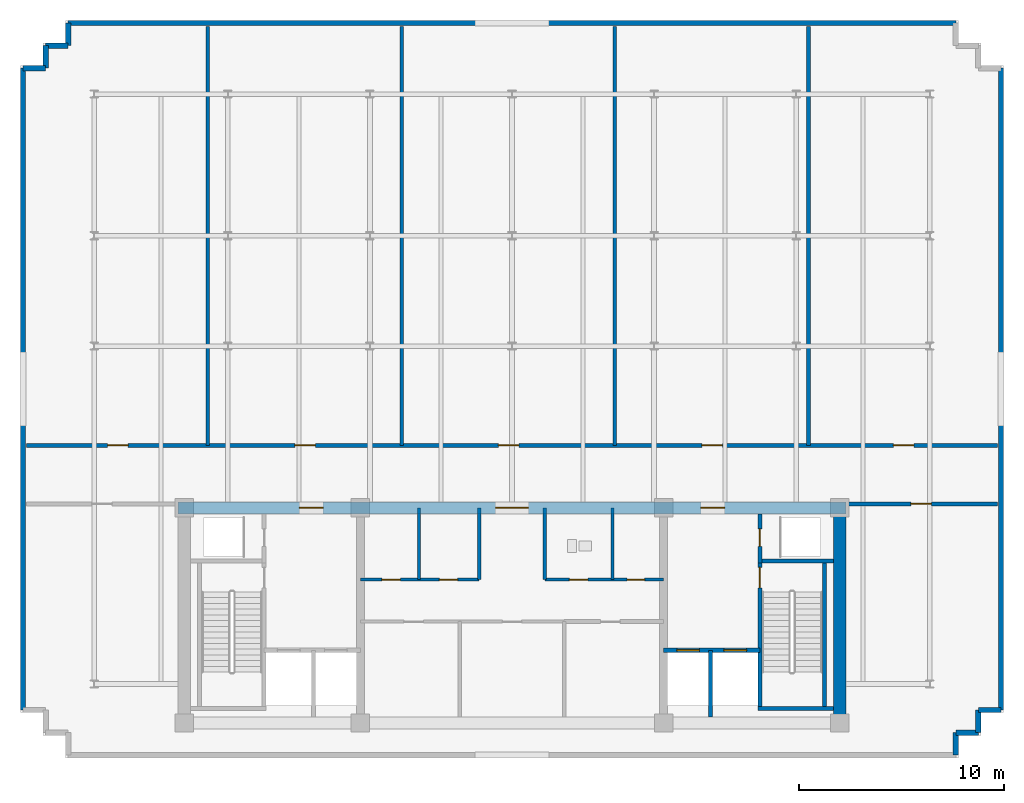
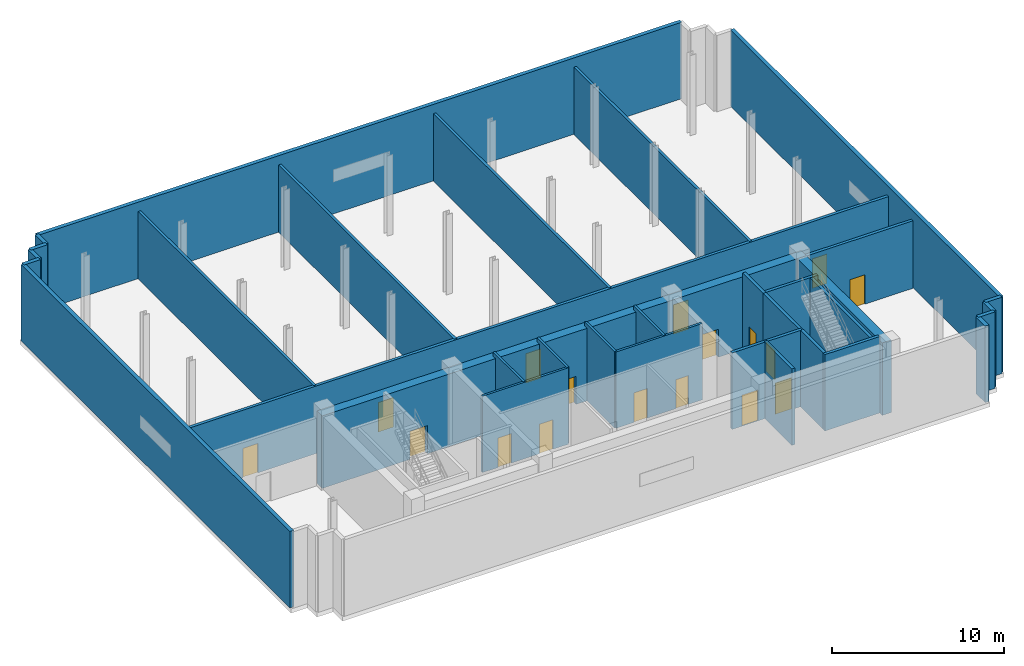
# One storey, part 3 of 7: 32 walls, 17 doors, 17 openings.
"""IFC4 building model written with IfcOpenShell, lengths in metres."""

from ifc_helpers import new_model, si_unit, direction, frame, frame_2d, origin, place, context, subcontext, project, spatial, rectangle, extrude, material, layer, layer_set, type_object, element, fill, save


model = new_model("IFC4")

# Units and contexts
model_context = context("Model", 3, precision=1e-05, world=origin(), true_north=direction((0.0, 1.0)))
body_context = subcontext(model_context, "Body", "Model", "MODEL_VIEW")
ifc_project = project(units=[si_unit("LENGTHUNIT", "METRE"), si_unit("AREAUNIT", "SQUARE_METRE"), si_unit("VOLUMEUNIT", "CUBIC_METRE"), si_unit("PLANEANGLEUNIT", "RADIAN"), si_unit("MASSUNIT", "GRAM", prefix="KILO")], contexts=[model_context])

# Site, building, storey
site_placement = place(None, origin())
site = spatial("IfcSite", under=ifc_project, at=site_placement, CompositionType="ELEMENT")
building_placement = place(site_placement, origin())
building = spatial("IfcBuilding", under=site, at=building_placement, Name="Solmavex Isthmus Hotel", CompositionType="ELEMENT")
storey_placement = place(building_placement, frame((0.0, 0.0, 302.699951171875)))
storey = spatial("IfcBuildingStorey", under=building, at=storey_placement, Name="L81", CompositionType="ELEMENT", Elevation=302.699951171875)

# Walls
ifc_material_1 = material(Name="Precast Concrete C40/50", Category="concrete")
ifc_layer_1 = layer(ifc_material_1, 0.260009765625)
ifc_layer_set_1 = layer_set([ifc_layer_1], Name="Precast Concrete C40/50")
wall_type_1 = type_object("IfcWallType", Name="EW-CRN-260", PredefinedType="STANDARD", material=ifc_layer_set_1)
wall_1_placement = place(storey_placement, frame((-23.8701171875, -12.3701171875, 0.0), z_axis=(0.0, 0.0, 1.0), x_axis=(0.0, 1.0, 0.0)))
element("IfcWall", 1, at=wall_1_placement, inside=storey, type_object=wall_type_1, Name="Plant Acoustic Louvre Enclosure Wall L81-06", PredefinedType="STANDARD", context=body_context, shape_type="SweptSolid", body=[
    extrude(rectangle(XDim=31.340087890625, YDim=0.260009765625, at=frame_2d((15.669921875, 0.0))), origin(), (0.0, 0.0, 1.0), 5.43994140625),
])
for number, where, z_axis, x_axis, name in (
    (2, (-23.8701171875, 18.969970703125, 0.0), (0.0, 0.0, 1.0), (1.0, 0.0, 0.0), "Plant Acoustic Louvre Enclosure Wall L81-07"),
    (3, (-22.77001953125, 18.969970703125, 0.0), (0.0, 0.0, 1.0), (0.0, 1.0, 0.0), "Plant Acoustic Louvre Enclosure Wall L81-08"),
    (4, (-22.77001953125, 20.070068359375, 0.0), (0.0, 0.0, 1.0), (1.0, 0.0, 0.0), "Plant Acoustic Louvre Enclosure Wall L81-09"),
):
    element("IfcWall", number, at=place(storey_placement, frame(where, z_axis=z_axis, x_axis=x_axis)), inside=storey, type_object=wall_type_1, Name=name, PredefinedType="STANDARD", context=body_context, shape_type="SweptSolid", body=[
        extrude(rectangle(XDim=1.10009765625, YDim=0.260009765625, at=frame_2d((0.550048828125, 0.0))), origin(), (0.0, 0.0, 1.0), 5.43994140625),
    ])
wall_2_placement = place(storey_placement, frame((-21.669921875, 20.070068359375, 0.0), z_axis=(0.0, 0.0, 1.0), x_axis=(0.0, 1.0, 0.0)))
element("IfcWall", 5, at=wall_2_placement, inside=storey, type_object=wall_type_1, Name="Plant Acoustic Louvre Enclosure Wall L81-10", PredefinedType="STANDARD", context=body_context, shape_type="SweptSolid", body=[
    extrude(rectangle(XDim=1.099853515625, YDim=0.260009765625, at=frame_2d((0.5498046875, 0.0))), origin(), (0.0, 0.0, 1.0), 5.43994140625),
])
wall_3_placement = place(storey_placement, frame((-21.669921875, 21.169921875, 0.0), z_axis=(0.0, 0.0, 1.0), x_axis=(1.0, 0.0, 0.0)))
element("IfcWall", 6, at=wall_3_placement, inside=storey, type_object=wall_type_1, Name="Plant Acoustic Louvre Enclosure Wall L81-11", PredefinedType="STANDARD", context=body_context, shape_type="SweptSolid", body=[
    extrude(rectangle(XDim=43.33984375, YDim=0.260009765625, at=frame_2d((21.669921875, 0.0))), origin(), (0.0, 0.0, 1.0), 5.43994140625),
])
wall_4_placement = place(storey_placement, frame((23.8701171875, 18.969970703125, 0.0), z_axis=(0.0, 0.0, 1.0), x_axis=(0.0, -1.0, 0.0)))
element("IfcWall", 7, at=wall_4_placement, inside=storey, type_object=wall_type_1, Name="Plant Acoustic Louvre Enclosure Wall L81-16", PredefinedType="STANDARD", context=body_context, shape_type="SweptSolid", body=[
    extrude(rectangle(XDim=31.340087890625, YDim=0.260009765625, at=frame_2d((15.669921875, 0.0))), origin(), (0.0, 0.0, 1.0), 5.43994140625),
])
wall_5_placement = place(storey_placement, frame((23.8701171875, -12.3701171875, 0.0), z_axis=(0.0, 0.0, 1.0), x_axis=(-1.0, 0.0, 0.0)))
element("IfcWall", 8, at=wall_5_placement, inside=storey, type_object=wall_type_1, Name="Plant Acoustic Louvre Enclosure Wall L81-17", PredefinedType="STANDARD", context=body_context, shape_type="SweptSolid", body=[
    extrude(rectangle(XDim=1.10009765625, YDim=0.260009765625, at=frame_2d((0.550048828125, 0.0))), origin(), (0.0, 0.0, 1.0), 5.43994140625),
])
wall_6_placement = place(storey_placement, frame((22.77001953125, -12.3701171875, 0.0), z_axis=(0.0, 0.0, 1.0), x_axis=(0.0, -1.0, 0.0)))
element("IfcWall", 9, at=wall_6_placement, inside=storey, type_object=wall_type_1, Name="Plant Acoustic Louvre Enclosure Wall L81-18", PredefinedType="STANDARD", context=body_context, shape_type="SweptSolid", body=[
    extrude(rectangle(XDim=1.099853515625, YDim=0.260009765625, at=frame_2d((0.5498046875, 0.0))), origin(), (0.0, 0.0, 1.0), 5.43994140625),
])
for number, where, z_axis, x_axis, name in (
    (10, (22.77001953125, -13.469970703125, 0.0), (0.0, 0.0, 1.0), (-1.0, 0.0, 0.0), "Plant Acoustic Louvre Enclosure Wall L81-19"),
    (11, (21.669921875, -13.469970703125, 0.0), (0.0, 0.0, 1.0), (0.0, -1.0, 0.0), "Plant Acoustic Louvre Enclosure Wall L81-20"),
):
    element("IfcWall", number, at=place(storey_placement, frame(where, z_axis=z_axis, x_axis=x_axis)), inside=storey, type_object=wall_type_1, Name=name, PredefinedType="STANDARD", context=body_context, shape_type="SweptSolid", body=[
        extrude(rectangle(XDim=1.10009765625, YDim=0.260009765625, at=frame_2d((0.550048828125, 0.0))), origin(), (0.0, 0.0, 1.0), 5.43994140625),
    ])

# Wall, openings, doors
ifc_material_2 = material(Name="Gypsum plasterboard lining", Category="gypsum")
ifc_layer_2 = layer(ifc_material_2, 0.14990234375)
ifc_layer_set_2 = layer_set([ifc_layer_2], Name="Gypsum plasterboard lining")
wall_type_2 = type_object("IfcWallType", Name="IW-CORR-150", PredefinedType="PARTITIONING", material=ifc_layer_set_2)
wall_7_placement = place(storey_placement, frame((-7.39990234375, -6.0, 0.0), z_axis=(0.0, 0.0, 1.0), x_axis=(1.0, 0.0, 0.0)))
wall_7 = element("IfcWall", 12, at=wall_7_placement, inside=storey, type_object=wall_type_2, Name="Interior Partition Wall W-L81-BOH-WS", PredefinedType="PARTITIONING", context=body_context, shape_type="SweptSolid", body=[
    extrude(rectangle(XDim=5.7998046875, YDim=0.14990234375, at=frame_2d((2.89990234375, 0.0))), origin(), (0.0, 0.0, 1.0), 5.43994140625),
])
opening_1_placement = place(wall_7_placement, frame((1.050048828125, 0.0, 0.0)))
opening_1 = element("IfcOpeningElement", 13, at=opening_1_placement, cuts=wall_7, Name="Opening ID-C090", PredefinedType="OPENING", context=body_context, shape_type="SweptSolid", body=[
    extrude(rectangle(XDim=0.89990234375, YDim=2.10009765625, at=frame_2d((0.449951171875, 1.050048828125))), frame((0.0, 0.0849609375, 0.0), z_axis=(0.0, -1.0, 0.0), x_axis=(1.0, 0.0, 0.0)), (0.0, 0.0, 1.0), 0.169921875),
])
opening_2_placement = place(wall_7_placement, frame((3.85009765625, 0.0, 0.0)))
opening_2 = element("IfcOpeningElement", 14, at=opening_2_placement, cuts=wall_7, Name="Opening ID-C090", PredefinedType="OPENING", context=body_context, shape_type="SweptSolid", body=[
    extrude(rectangle(XDim=0.89990234375, YDim=2.10009765625, at=frame_2d((0.449951171875, 1.050048828125))), frame((0.0, 0.0849609375, 0.0), z_axis=(0.0, -1.0, 0.0), x_axis=(1.0, 0.0, 0.0)), (0.0, 0.0, 1.0), 0.169921875),
])
ifc_material_3 = material(Name="Hardwood timber", Category="wood")
door_type_1 = type_object("IfcDoorType", Name="IDR-FD60-0900", OperationType="NOTDEFINED", PredefinedType="DOOR", material=ifc_material_3)
door_1_placement = place(opening_1_placement, frame((0.89990234375, 0.0, 0.0), z_axis=(0.0, 0.0, 1.0), x_axis=(-1.0, 0.0, 0.0)))
door_1 = element("IfcDoor", 15, at=door_1_placement, inside=storey, type_object=door_type_1, Name="Linen Room Door L81", OperationType="SINGLE_SWING_LEFT", OverallHeight=2.10009765625, OverallWidth=0.89990234375, PredefinedType="DOOR", context=body_context, shape_type="SweptSolid", body=[
    extrude(rectangle(XDim=0.89990234375, YDim=2.10009765625, at=frame_2d((0.449951171875, 1.050048828125))), frame((0.0, 0.02490234375, 0.0), z_axis=(0.0, -1.0, 0.0), x_axis=(1.0, 0.0, 0.0)), (0.0, 0.0, 1.0), 0.050048828125),
])
fill(opening_1, door_1)
door_2_placement = place(opening_2_placement, frame((0.89990234375, 0.0, 0.0), z_axis=(0.0, 0.0, 1.0), x_axis=(-1.0, 0.0, 0.0)))
door_2 = element("IfcDoor", 16, at=door_2_placement, inside=storey, type_object=door_type_1, Name="Ice Pantry Door L81", OperationType="SINGLE_SWING_RIGHT", OverallHeight=2.10009765625, OverallWidth=0.89990234375, PredefinedType="DOOR", context=body_context, shape_type="SweptSolid", body=[
    extrude(rectangle(XDim=0.89990234375, YDim=2.10009765625, at=frame_2d((0.449951171875, 1.050048828125))), frame((0.0, 0.02490234375, 0.0), z_axis=(0.0, -1.0, 0.0), x_axis=(1.0, 0.0, 0.0)), (0.0, 0.0, 1.0), 0.050048828125),
])
fill(opening_2, door_2)

# Wall
wall_8_placement = place(storey_placement, frame((-1.60009765625, -6.0, 0.0), z_axis=(0.0, 0.0, 1.0), x_axis=(0.0, 1.0, 0.0)))
element("IfcWall", 17, at=wall_8_placement, inside=storey, type_object=wall_type_2, Name="Interior Partition Wall W-L81-BOH-WE", PredefinedType="PARTITIONING", context=body_context, shape_type="SweptSolid", body=[
    extrude(rectangle(XDim=3.5, YDim=0.14990234375, at=frame_2d((1.75, 0.0))), origin(), (0.0, 0.0, 1.0), 5.43994140625),
])

# Wall, openings, doors
wall_9_placement = place(storey_placement, frame((1.60009765625, -6.0, 0.0), z_axis=(0.0, 0.0, 1.0), x_axis=(1.0, 0.0, 0.0)))
wall_9 = element("IfcWall", 18, at=wall_9_placement, inside=storey, type_object=wall_type_2, Name="Interior Partition Wall W-L81-BOH-ES", PredefinedType="PARTITIONING", context=body_context, shape_type="SweptSolid", body=[
    extrude(rectangle(XDim=5.7998046875, YDim=0.14990234375, at=frame_2d((2.89990234375, 0.0))), origin(), (0.0, 0.0, 1.0), 5.43994140625),
])
opening_3_placement = place(wall_9_placement, frame((1.199951171875, 0.0, 0.0)))
opening_3 = element("IfcOpeningElement", 19, at=opening_3_placement, cuts=wall_9, Name="Opening ID-C090", PredefinedType="OPENING", context=body_context, shape_type="SweptSolid", body=[
    extrude(rectangle(XDim=0.89990234375, YDim=2.10009765625, at=frame_2d((0.449951171875, 1.050048828125))), frame((0.0, 0.0849609375, 0.0), z_axis=(0.0, -1.0, 0.0), x_axis=(1.0, 0.0, 0.0)), (0.0, 0.0, 1.0), 0.169921875),
])
opening_4_placement = place(wall_9_placement, frame((4.02490234375, 0.0, 0.0)))
opening_4 = element("IfcOpeningElement", 20, at=opening_4_placement, cuts=wall_9, Name="Opening ID-R085", PredefinedType="OPENING", context=body_context, shape_type="SweptSolid", body=[
    extrude(rectangle(XDim=0.85009765625, YDim=2.050048828125, at=frame_2d((0.425048828125, 1.02490234375))), frame((0.0, 0.0849609375, 0.0), z_axis=(0.0, -1.0, 0.0), x_axis=(1.0, 0.0, 0.0)), (0.0, 0.0, 1.0), 0.169921875),
])
ifc_material_4 = material(Name="Steel ASTM A500 Grade C", Category="steel")
door_type_2 = type_object("IfcDoorType", Name="IDR-FD60-0850", OperationType="NOTDEFINED", PredefinedType="DOOR", material=ifc_material_4)
door_3_placement = place(opening_4_placement, frame((0.85009765625, 0.0, 0.0), z_axis=(0.0, 0.0, 1.0), x_axis=(-1.0, 0.0, 0.0)))
door_3 = element("IfcDoor", 21, at=door_3_placement, inside=storey, type_object=door_type_2, Name="IT Room Door L81", OperationType="SINGLE_SWING_RIGHT", OverallHeight=2.050048828125, OverallWidth=0.85009765625, PredefinedType="DOOR", context=body_context, shape_type="SweptSolid", body=[
    extrude(rectangle(XDim=0.85009765625, YDim=2.050048828125, at=frame_2d((0.425048828125, 1.02490234375))), frame((0.0, 0.02490234375, 0.0), z_axis=(0.0, -1.0, 0.0), x_axis=(1.0, 0.0, 0.0)), (0.0, 0.0, 1.0), 0.050048828125),
])
fill(opening_4, door_3)
door_4_placement = place(opening_3_placement, frame((0.89990234375, 0.0, 0.0), z_axis=(0.0, 0.0, 1.0), x_axis=(-1.0, 0.0, 0.0)))
door_4 = element("IfcDoor", 22, at=door_4_placement, inside=storey, type_object=door_type_1, Name="Staff Restroom Door L81", OperationType="SINGLE_SWING_LEFT", OverallHeight=2.10009765625, OverallWidth=0.89990234375, PredefinedType="DOOR", context=body_context, shape_type="SweptSolid", body=[
    extrude(rectangle(XDim=0.89990234375, YDim=2.10009765625, at=frame_2d((0.449951171875, 1.050048828125))), frame((0.0, 0.02490234375, 0.0), z_axis=(0.0, -1.0, 0.0), x_axis=(1.0, 0.0, 0.0)), (0.0, 0.0, 1.0), 0.050048828125),
])
fill(opening_3, door_4)

# Walls
wall_10_placement = place(storey_placement, frame((1.60009765625, -6.0, 0.0), z_axis=(0.0, 0.0, 1.0), x_axis=(0.0, 1.0, 0.0)))
element("IfcWall", 23, at=wall_10_placement, inside=storey, type_object=wall_type_2, Name="Interior Partition Wall W-L81-BOH-EW", PredefinedType="PARTITIONING", context=body_context, shape_type="SweptSolid", body=[
    extrude(rectangle(XDim=3.5, YDim=0.14990234375, at=frame_2d((1.75, 0.0))), origin(), (0.0, 0.0, 1.0), 5.43994140625),
])
ifc_layer_3 = layer(ifc_material_2, 0.1201171875)
ifc_layer_set_3 = layer_set([ifc_layer_3], Name="Gypsum plasterboard lining")
wall_type_3 = type_object("IfcWallType", Name="IW-PART-120", PredefinedType="PARTITIONING", material=ifc_layer_set_3)
for number, where, z_axis, x_axis, name in (
    (24, (-4.550048828125, -6.0, 0.0), (0.0, 0.0, 1.0), (0.0, 1.0, 0.0), "Interior Partition Wall W-L81-BOH-WM2"),
    (25, (4.89990234375, -6.0, 0.0), (0.0, 0.0, 1.0), (0.0, 1.0, 0.0), "Interior Partition Wall W-L81-BOH-EM2"),
):
    element("IfcWall", number, at=place(storey_placement, frame(where, z_axis=z_axis, x_axis=x_axis)), inside=storey, type_object=wall_type_3, Name=name, PredefinedType="PARTITIONING", context=body_context, shape_type="SweptSolid", body=[
        extrude(rectangle(XDim=3.5, YDim=0.14990234375, at=frame_2d((1.75, 0.0))), origin(), (0.0, 0.0, 1.0), 5.43994140625),
    ])
ifc_material_5 = material(Name="Concrete C40/50", Category="concrete")
ifc_layer_4 = layer(ifc_material_5, 0.179931640625)
ifc_layer_set_4 = layer_set([ifc_layer_4], Name="Concrete C40/50")
wall_type_4 = type_object("IfcWallType", Name="IW-SHAFT-180", PredefinedType="PARTITIONING", material=ifc_layer_set_4)
for number, where, z_axis, x_axis, name in (
    (26, (-14.85009765625, 0.550048828125, 0.0), (0.0, 0.0, 1.0), (0.0, 1.0, 0.0), "Interior Partition Wall W-L81-PX1"),
    (27, (-5.389892578125, 0.550048828125, 0.0), (0.0, 0.0, 1.0), (0.0, 1.0, 0.0), "Interior Partition Wall W-L81-PX2"),
    (28, (5.02001953125, 0.550048828125, 0.0), (0.0, 0.0, 1.0), (0.0, 1.0, 0.0), "Interior Partition Wall W-L81-PX3"),
    (29, (14.47998046875, 0.550048828125, 0.0), (0.0, 0.0, 1.0), (0.0, 1.0, 0.0), "Interior Partition Wall W-L81-PX4"),
):
    element("IfcWall", number, at=place(storey_placement, frame(where, z_axis=z_axis, x_axis=x_axis)), inside=storey, type_object=wall_type_4, Name=name, PredefinedType="PARTITIONING", context=body_context, shape_type="SweptSolid", body=[
        extrude(rectangle(XDim=20.4599609375, YDim=0.179931640625, at=frame_2d((10.22998046875, 0.0))), origin(), (0.0, 0.0, 1.0), 4.8076171875),
    ])

# Wall, opening, door
ifc_layer_5 = layer(ifc_material_5, 0.199951171875)
ifc_layer_set_5 = layer_set([ifc_layer_5], Name="Concrete C40/50")
wall_type_5 = type_object("IfcWallType", Name="IW-SHAFT-200", PredefinedType="PARTITIONING", material=ifc_layer_set_5)
wall_11_placement = place(storey_placement, frame((12.10009765625, -5.199951171875, 0.0), z_axis=(0.0, 0.0, 1.0), x_axis=(0.0, 1.0, 0.0)))
wall_11 = element("IfcWall", 30, at=wall_11_placement, inside=storey, type_object=wall_type_5, Name="Interior Partition Wall W-L81-RSE-W", PredefinedType="PARTITIONING", context=body_context, shape_type="SweptSolid", body=[
    extrude(rectangle(XDim=2.39990234375, YDim=0.199951171875, at=frame_2d((1.199951171875, 0.0))), origin(), (0.0, 0.0, 1.0), 5.43994140625),
])
opening_5_placement = place(wall_11_placement, frame((0.824951171875, 0.0, 0.0)))
opening_5 = element("IfcOpeningElement", 31, at=opening_5_placement, cuts=wall_11, Name="Opening ID-R085", PredefinedType="OPENING", context=body_context, shape_type="SweptSolid", body=[
    extrude(rectangle(XDim=0.85009765625, YDim=2.050048828125, at=frame_2d((0.425048828125, 1.02490234375))), frame((0.0, 0.10986328125, 0.0), z_axis=(0.0, -1.0, 0.0), x_axis=(1.0, 0.0, 0.0)), (0.0, 0.0, 1.0), 0.219970703125),
])
door_5_placement = place(opening_5_placement, frame((0.85009765625, 0.0, 0.0), z_axis=(0.0, 0.0, 1.0), x_axis=(-1.0, 0.0, 0.0)))
door_5 = element("IfcDoor", 32, at=door_5_placement, inside=storey, type_object=door_type_2, Name="Mechanical Riser Door L81", OperationType="SINGLE_SWING_LEFT", OverallHeight=2.050048828125, OverallWidth=0.85009765625, PredefinedType="DOOR", context=body_context, shape_type="SweptSolid", body=[
    extrude(rectangle(XDim=0.85009765625, YDim=2.050048828125, at=frame_2d((0.425048828125, 1.02490234375))), frame((0.0, 0.02490234375, 0.0), z_axis=(0.0, -1.0, 0.0), x_axis=(1.0, 0.0, 0.0)), (0.0, 0.0, 1.0), 0.050048828125),
])
fill(opening_5, door_5)

# Wall, openings, doors
wall_12_placement = place(storey_placement, frame((7.39990234375, -9.449951171875, 0.0), z_axis=(0.0, 0.0, 1.0), x_axis=(1.0, 0.0, 0.0)))
wall_12 = element("IfcWall", 33, at=wall_12_placement, inside=storey, type_object=wall_type_5, Name="Interior Partition Wall W-L81-FFLE-S", PredefinedType="PARTITIONING", context=body_context, shape_type="SweptSolid", body=[
    extrude(rectangle(XDim=4.7001953125, YDim=0.199951171875, at=frame_2d((2.35009765625, 0.0))), origin(), (0.0, 0.0, 1.0), 5.43994140625),
])
opening_6_placement = place(wall_12_placement, frame((2.949951171875, 0.0, 0.0)))
opening_6 = element("IfcOpeningElement", 34, at=opening_6_placement, cuts=wall_12, Name="Opening LD-FF", PredefinedType="OPENING", context=body_context, shape_type="SweptSolid", body=[
    extrude(rectangle(XDim=1.10009765625, YDim=2.199951171875, at=frame_2d((0.550048828125, 1.10009765625))), frame((0.0, 0.10986328125, 0.0), z_axis=(0.0, -1.0, 0.0), x_axis=(1.0, 0.0, 0.0)), (0.0, 0.0, 1.0), 0.219970703125),
])
opening_7_placement = place(wall_12_placement, frame((0.64990234375, 0.0, 0.0)))
opening_7 = element("IfcOpeningElement", 35, at=opening_7_placement, cuts=wall_12, Name="Opening LD-SV", PredefinedType="OPENING", context=body_context, shape_type="SweptSolid", body=[
    extrude(rectangle(XDim=1.10009765625, YDim=2.199951171875, at=frame_2d((0.550048828125, 1.10009765625))), frame((0.0, 0.10986328125, 0.0), z_axis=(0.0, -1.0, 0.0), x_axis=(1.0, 0.0, 0.0)), (0.0, 0.0, 1.0), 0.219970703125),
])
ifc_material_6 = material(Name="Stainless steel 316", Category="steel")
door_type_3 = type_object("IfcDoorType", Name="LDR-FF-1100", OperationType="NOTDEFINED", PredefinedType="DOOR", material=ifc_material_6)
door_6_placement = place(opening_6_placement, origin())
door_6 = element("IfcDoor", 36, at=door_6_placement, inside=storey, type_object=door_type_3, Name="Lift Landing Door FFL-2 L81", OperationType="SLIDING_TO_LEFT", OverallHeight=2.199951171875, OverallWidth=1.10009765625, PredefinedType="DOOR", context=body_context, shape_type="SweptSolid", body=[
    extrude(rectangle(XDim=1.10009765625, YDim=2.199951171875, at=frame_2d((0.550048828125, 1.10009765625))), frame((0.0, 0.02490234375, 0.0), z_axis=(0.0, -1.0, 0.0), x_axis=(1.0, 0.0, 0.0)), (0.0, 0.0, 1.0), 0.050048828125),
])
fill(opening_6, door_6)
door_type_4 = type_object("IfcDoorType", Name="LDR-SV-1100", OperationType="NOTDEFINED", PredefinedType="DOOR", material=ifc_material_6)
door_7_placement = place(opening_7_placement, origin())
door_7 = element("IfcDoor", 37, at=door_7_placement, inside=storey, type_object=door_type_4, Name="Lift Landing Door SVL-2 L81", OperationType="SLIDING_TO_RIGHT", OverallHeight=2.199951171875, OverallWidth=1.10009765625, PredefinedType="DOOR", context=body_context, shape_type="SweptSolid", body=[
    extrude(rectangle(XDim=1.10009765625, YDim=2.199951171875, at=frame_2d((0.550048828125, 1.10009765625))), frame((0.0, 0.02490234375, 0.0), z_axis=(0.0, -1.0, 0.0), x_axis=(1.0, 0.0, 0.0)), (0.0, 0.0, 1.0), 0.050048828125),
])
fill(opening_7, door_7)

# Wall
wall_13_placement = place(storey_placement, frame((9.699951171875, -12.699951171875, 0.0), z_axis=(0.0, 0.0, 1.0), x_axis=(0.0, 1.0, 0.0)))
element("IfcWall", 38, at=wall_13_placement, inside=storey, type_object=wall_type_5, Name="Interior Partition Wall W-L81-FFLE-M", PredefinedType="PARTITIONING", context=body_context, shape_type="SweptSolid", body=[
    extrude(rectangle(XDim=3.25, YDim=0.199951171875, at=frame_2d((1.625, 0.0))), origin(), (0.0, 0.0, 1.0), 5.43994140625),
])

# Wall, openings, doors
wall_14_placement = place(storey_placement, frame((-23.7099609375, 0.550048828125, 0.0), z_axis=(0.0, 0.0, 1.0), x_axis=(1.0, 0.0, 0.0)))
wall_14 = element("IfcWall", 39, at=wall_14_placement, inside=storey, type_object=wall_type_5, Name="Interior Partition Wall W-L81-PN", PredefinedType="PARTITIONING", context=body_context, shape_type="SweptSolid", body=[
    extrude(rectangle(XDim=47.419921875, YDim=0.199951171875, at=frame_2d((23.7099609375, 0.0))), origin(), (0.0, 0.0, 1.0), 4.8076171875),
])
opening_8_placement = place(wall_14_placement, frame((3.965087890625, 0.0, 0.0)))
opening_8 = element("IfcOpeningElement", 40, at=opening_8_placement, cuts=wall_14, Name="Opening ID-F100", PredefinedType="OPENING", context=body_context, shape_type="SweptSolid", body=[
    extrude(rectangle(XDim=1.0, YDim=2.10009765625, at=frame_2d((0.5, 1.050048828125))), frame((0.0, 0.10986328125, 0.0), z_axis=(0.0, -1.0, 0.0), x_axis=(1.0, 0.0, 0.0)), (0.0, 0.0, 1.0), 0.219970703125),
])
opening_9_placement = place(wall_14_placement, frame((13.114990234375, 0.0, 0.0)))
opening_9 = element("IfcOpeningElement", 41, at=opening_9_placement, cuts=wall_14, Name="Opening ID-F100", PredefinedType="OPENING", context=body_context, shape_type="SweptSolid", body=[
    extrude(rectangle(XDim=1.0, YDim=2.10009765625, at=frame_2d((0.5, 1.050048828125))), frame((0.0, 0.10986328125, 0.0), z_axis=(0.0, -1.0, 0.0), x_axis=(1.0, 0.0, 0.0)), (0.0, 0.0, 1.0), 0.219970703125),
])
opening_10_placement = place(wall_14_placement, frame((23.044921875, 0.0, 0.0)))
opening_10 = element("IfcOpeningElement", 42, at=opening_10_placement, cuts=wall_14, Name="Opening ID-F100", PredefinedType="OPENING", context=body_context, shape_type="SweptSolid", body=[
    extrude(rectangle(XDim=1.0, YDim=2.10009765625, at=frame_2d((0.5, 1.050048828125))), frame((0.0, 0.10986328125, 0.0), z_axis=(0.0, -1.0, 0.0), x_axis=(1.0, 0.0, 0.0)), (0.0, 0.0, 1.0), 0.219970703125),
])
opening_11_placement = place(wall_14_placement, frame((32.985107421875, 0.0, 0.0)))
opening_11 = element("IfcOpeningElement", 43, at=opening_11_placement, cuts=wall_14, Name="Opening ID-F100", PredefinedType="OPENING", context=body_context, shape_type="SweptSolid", body=[
    extrude(rectangle(XDim=1.0, YDim=2.10009765625, at=frame_2d((0.5, 1.050048828125))), frame((0.0, 0.10986328125, 0.0), z_axis=(0.0, -1.0, 0.0), x_axis=(1.0, 0.0, 0.0)), (0.0, 0.0, 1.0), 0.219970703125),
])
opening_12_placement = place(wall_14_placement, frame((42.324951171875, 0.0, 0.0)))
opening_12 = element("IfcOpeningElement", 44, at=opening_12_placement, cuts=wall_14, Name="Opening ID-F100", PredefinedType="OPENING", context=body_context, shape_type="SweptSolid", body=[
    extrude(rectangle(XDim=1.0, YDim=2.10009765625, at=frame_2d((0.5, 1.050048828125))), frame((0.0, 0.10986328125, 0.0), z_axis=(0.0, -1.0, 0.0), x_axis=(1.0, 0.0, 0.0)), (0.0, 0.0, 1.0), 0.219970703125),
])
door_type_5 = type_object("IfcDoorType", Name="IDR-FD90-1000", OperationType="NOTDEFINED", PredefinedType="DOOR", material=ifc_material_4)
door_8_placement = place(opening_8_placement, origin())
door_8 = element("IfcDoor", 45, at=door_8_placement, inside=storey, type_object=door_type_5, Name="Induced-Draft Cooling Tower Plant Room Door L81-1", OperationType="SINGLE_SWING_LEFT", OverallHeight=2.10009765625, OverallWidth=1.0, PredefinedType="DOOR", context=body_context, shape_type="SweptSolid", body=[
    extrude(rectangle(XDim=1.0, YDim=2.10009765625, at=frame_2d((0.5, 1.050048828125))), frame((0.0, 0.02490234375, 0.0), z_axis=(0.0, -1.0, 0.0), x_axis=(1.0, 0.0, 0.0)), (0.0, 0.0, 1.0), 0.050048828125),
])
fill(opening_8, door_8)
door_9_placement = place(opening_9_placement, origin())
door_9 = element("IfcDoor", 46, at=door_9_placement, inside=storey, type_object=door_type_5, Name="Primary Make-Up Air Handling Plant Room Door L81-2", OperationType="SINGLE_SWING_RIGHT", OverallHeight=2.10009765625, OverallWidth=1.0, PredefinedType="DOOR", context=body_context, shape_type="SweptSolid", body=[
    extrude(rectangle(XDim=1.0, YDim=2.10009765625, at=frame_2d((0.5, 1.050048828125))), frame((0.0, 0.02490234375, 0.0), z_axis=(0.0, -1.0, 0.0), x_axis=(1.0, 0.0, 0.0)), (0.0, 0.0, 1.0), 0.050048828125),
])
fill(opening_9, door_9)
door_10_placement = place(opening_10_placement, origin())
door_10 = element("IfcDoor", 47, at=door_10_placement, inside=storey, type_object=door_type_5, Name="Stair Pressurisation Fan Plant Room Door L81-3", OperationType="SINGLE_SWING_LEFT", OverallHeight=2.10009765625, OverallWidth=1.0, PredefinedType="DOOR", context=body_context, shape_type="SweptSolid", body=[
    extrude(rectangle(XDim=1.0, YDim=2.10009765625, at=frame_2d((0.5, 1.050048828125))), frame((0.0, 0.02490234375, 0.0), z_axis=(0.0, -1.0, 0.0), x_axis=(1.0, 0.0, 0.0)), (0.0, 0.0, 1.0), 0.050048828125),
])
fill(opening_10, door_10)
door_11_placement = place(opening_11_placement, origin())
door_11 = element("IfcDoor", 48, at=door_11_placement, inside=storey, type_object=door_type_5, Name="Roof Drainage Pump Plant Room Door L81-4", OperationType="SINGLE_SWING_RIGHT", OverallHeight=2.10009765625, OverallWidth=1.0, PredefinedType="DOOR", context=body_context, shape_type="SweptSolid", body=[
    extrude(rectangle(XDim=1.0, YDim=2.10009765625, at=frame_2d((0.5, 1.050048828125))), frame((0.0, 0.02490234375, 0.0), z_axis=(0.0, -1.0, 0.0), x_axis=(1.0, 0.0, 0.0)), (0.0, 0.0, 1.0), 0.050048828125),
])
fill(opening_11, door_11)
door_12_placement = place(opening_12_placement, origin())
door_12 = element("IfcDoor", 49, at=door_12_placement, inside=storey, type_object=door_type_5, Name="Solar Thermal Heat Recovery Plant Room Door L81-5", OperationType="SINGLE_SWING_LEFT", OverallHeight=2.10009765625, OverallWidth=1.0, PredefinedType="DOOR", context=body_context, shape_type="SweptSolid", body=[
    extrude(rectangle(XDim=1.0, YDim=2.10009765625, at=frame_2d((0.5, 1.050048828125))), frame((0.0, 0.02490234375, 0.0), z_axis=(0.0, -1.0, 0.0), x_axis=(1.0, 0.0, 0.0)), (0.0, 0.0, 1.0), 0.050048828125),
])
fill(opening_12, door_12)

# Wall, opening, door
wall_15_placement = place(storey_placement, frame((16.300048828125, -2.300048828125, 0.0), z_axis=(0.0, 0.0, 1.0), x_axis=(1.0, 0.0, 0.0)))
wall_15 = element("IfcWall", 50, at=wall_15_placement, inside=storey, type_object=wall_type_5, Name="Interior Partition Wall W-L81-PSE", PredefinedType="PARTITIONING", context=body_context, shape_type="SweptSolid", body=[
    extrude(rectangle(XDim=7.409912109375, YDim=0.199951171875, at=frame_2d((3.705078125, 0.0))), origin(), (0.0, 0.0, 1.0), 4.8076171875),
])
opening_13_placement = place(wall_15_placement, frame((3.175048828125, 0.0, 0.0)))
opening_13 = element("IfcOpeningElement", 51, at=opening_13_placement, cuts=wall_15, Name="Opening ID-F100", PredefinedType="OPENING", context=body_context, shape_type="SweptSolid", body=[
    extrude(rectangle(XDim=1.0, YDim=2.10009765625, at=frame_2d((0.5, 1.050048828125))), frame((0.0, 0.10986328125, 0.0), z_axis=(0.0, -1.0, 0.0), x_axis=(1.0, 0.0, 0.0)), (0.0, 0.0, 1.0), 0.219970703125),
])
door_13_placement = place(opening_13_placement, frame((1.0, 0.0, 0.0), z_axis=(0.0, 0.0, 1.0), x_axis=(-1.0, 0.0, 0.0)))
door_13 = element("IfcDoor", 52, at=door_13_placement, inside=storey, type_object=door_type_5, Name="Emergency Telecom and BMS Plant Room Door L81", OperationType="SINGLE_SWING_RIGHT", OverallHeight=2.10009765625, OverallWidth=1.0, PredefinedType="DOOR", context=body_context, shape_type="SweptSolid", body=[
    extrude(rectangle(XDim=1.0, YDim=2.10009765625, at=frame_2d((0.5, 1.050048828125))), frame((0.0, 0.02490234375, 0.0), z_axis=(0.0, -1.0, 0.0), x_axis=(1.0, 0.0, 0.0)), (0.0, 0.0, 1.0), 0.050048828125),
])
fill(opening_13, door_13)

# Wall, openings, doors
ifc_material_7 = material(Name="Concrete C50/60", Category="concrete")
ifc_layer_6 = layer(ifc_material_7, 0.60009765625)
ifc_layer_set_6 = layer_set([ifc_layer_6], Name="Concrete C50/60")
wall_type_6 = type_object("IfcWallType", Name="WALL-CW-600", PredefinedType="SHEAR", material=ifc_layer_set_6)
wall_16_placement = place(storey_placement, frame((-16.300048828125, -2.5, 0.0), z_axis=(0.0, 0.0, 1.0), x_axis=(1.0, 0.0, 0.0)))
wall_16 = element("IfcWall", 53, at=wall_16_placement, inside=storey, type_object=wall_type_6, Name="Core Shear Wall North L81", PredefinedType="SHEAR", context=body_context, shape_type="SweptSolid", body=[
    extrude(rectangle(XDim=32.60009765625, YDim=0.60009765625, at=frame_2d((16.300048828125, 0.0))), origin(), (0.0, 0.0, 1.0), 5.16015625),
])
opening_14_placement = place(wall_16_placement, frame((5.925048828125, 0.0, 0.0)))
opening_14 = element("IfcOpeningElement", 54, at=opening_14_placement, cuts=wall_16, Name="Opening ID-F915", PredefinedType="OPENING", context=body_context, shape_type="SweptSolid", body=[
    extrude(rectangle(XDim=1.14990234375, YDim=2.0, at=frame_2d((0.574951171875, 1.0))), frame((0.0, 0.31005859375, 0.0), z_axis=(0.0, -1.0, 0.0), x_axis=(1.0, 0.0, 0.0)), (0.0, 0.0, 1.0), 0.6201171875),
])
opening_15_placement = place(wall_16_placement, frame((15.5, 0.0, 0.0)))
opening_15 = element("IfcOpeningElement", 55, at=opening_15_placement, cuts=wall_16, Name="Opening ID-F960", PredefinedType="OPENING", context=body_context, shape_type="SweptSolid", body=[
    extrude(rectangle(XDim=1.60009765625, YDim=2.0, at=frame_2d((0.800048828125, 1.0))), frame((0.0, 0.31005859375, 0.0), z_axis=(0.0, -1.0, 0.0), x_axis=(1.0, 0.0, 0.0)), (0.0, 0.0, 1.0), 0.6201171875),
])
opening_16_placement = place(wall_16_placement, frame((25.52490234375, 0.0, 0.0)))
opening_16 = element("IfcOpeningElement", 56, at=opening_16_placement, cuts=wall_16, Name="Opening ID-F915", PredefinedType="OPENING", context=body_context, shape_type="SweptSolid", body=[
    extrude(rectangle(XDim=1.14990234375, YDim=2.0, at=frame_2d((0.574951171875, 1.0))), frame((0.0, 0.31005859375, 0.0), z_axis=(0.0, -1.0, 0.0), x_axis=(1.0, 0.0, 0.0)), (0.0, 0.0, 1.0), 0.6201171875),
])
door_type_6 = type_object("IfcDoorType", Name="IDR-FD90-1150C", OperationType="NOTDEFINED", PredefinedType="DOOR", material=ifc_material_4)
door_14_placement = place(opening_14_placement, origin())
door_14 = element("IfcDoor", 57, at=door_14_placement, inside=storey, type_object=door_type_6, Name="Firefighting Lobby West Exit Door L81", OperationType="SINGLE_SWING_LEFT", OverallHeight=2.0, OverallWidth=1.14990234375, PredefinedType="DOOR", context=body_context, shape_type="SweptSolid", body=[
    extrude(rectangle(XDim=1.14990234375, YDim=2.0, at=frame_2d((0.574951171875, 1.0))), frame((0.0, 0.02490234375, 0.0), z_axis=(0.0, -1.0, 0.0), x_axis=(1.0, 0.0, 0.0)), (0.0, 0.0, 1.0), 0.050048828125),
])
fill(opening_14, door_14)
door_15_placement = place(opening_16_placement, origin())
door_15 = element("IfcDoor", 58, at=door_15_placement, inside=storey, type_object=door_type_6, Name="Firefighting Lobby East Exit Door L81", OperationType="SINGLE_SWING_RIGHT", OverallHeight=2.0, OverallWidth=1.14990234375, PredefinedType="DOOR", context=body_context, shape_type="SweptSolid", body=[
    extrude(rectangle(XDim=1.14990234375, YDim=2.0, at=frame_2d((0.574951171875, 1.0))), frame((0.0, 0.02490234375, 0.0), z_axis=(0.0, -1.0, 0.0), x_axis=(1.0, 0.0, 0.0)), (0.0, 0.0, 1.0), 0.050048828125),
])
fill(opening_16, door_15)
door_type_7 = type_object("IfcDoorType", Name="IDR-FD90-1600C", OperationType="NOTDEFINED", PredefinedType="DOOR", material=ifc_material_4)
door_16_placement = place(opening_15_placement, origin())
door_16 = element("IfcDoor", 59, at=door_16_placement, inside=storey, type_object=door_type_7, Name="Central Lift Lobby Door L81", OperationType="DOUBLE_DOOR_SINGLE_SWING", OverallHeight=2.0, OverallWidth=1.60009765625, PredefinedType="DOOR", context=body_context, shape_type="SweptSolid", body=[
    extrude(rectangle(XDim=1.60009765625, YDim=2.0, at=frame_2d((0.800048828125, 1.0))), frame((0.0, 0.02490234375, 0.0), z_axis=(0.0, -1.0, 0.0), x_axis=(1.0, 0.0, 0.0)), (0.0, 0.0, 1.0), 0.050048828125),
])
fill(opening_15, door_16)

# Walls
wall_17_placement = place(storey_placement, frame((16.0, -12.699951171875, 0.0), z_axis=(0.0, 0.0, 1.0), x_axis=(0.0, 1.0, 0.0)))
element("IfcWall", 60, at=wall_17_placement, inside=storey, type_object=wall_type_6, Name="Core Shear Wall East L81", PredefinedType="SHEAR", context=body_context, shape_type="SweptSolid", body=[
    extrude(rectangle(XDim=9.89990234375, YDim=0.60009765625, at=frame_2d((4.949951171875, 0.0))), origin(), (0.0, 0.0, 1.0), 5.16015625),
])
ifc_layer_7 = layer(ifc_material_5, 0.199951171875)
ifc_layer_set_7 = layer_set([ifc_layer_7], Name="Concrete C40/50")
wall_type_7 = type_object("IfcWallType", Name="WALL-SW-200", PredefinedType="SOLIDWALL", material=ifc_layer_set_7)
for number, where, z_axis, x_axis, name in (
    (61, (12.0, -12.300048828125, 0.0), (0.0, 0.0, 1.0), (1.0, 0.0, 0.0), "Stairwell Structural Wall SW-L81-ST2-S"),
    (62, (12.0, -5.10009765625, 0.0), (0.0, 0.0, 1.0), (1.0, 0.0, 0.0), "Stairwell Structural Wall SW-L81-ST2-N"),
):
    element("IfcWall", number, at=place(storey_placement, frame(where, z_axis=z_axis, x_axis=x_axis)), inside=storey, type_object=wall_type_7, Name=name, PredefinedType="SOLIDWALL", context=body_context, shape_type="SweptSolid", body=[
        extrude(rectangle(XDim=3.699951171875, YDim=0.199951171875, at=frame_2d((1.85009765625, 0.0))), origin(), (0.0, 0.0, 1.0), 5.43994140625),
    ])

# Wall, opening, door
wall_18_placement = place(storey_placement, frame((12.10009765625, -12.199951171875, 0.0), z_axis=(0.0, 0.0, 1.0), x_axis=(0.0, 1.0, 0.0)))
wall_18 = element("IfcWall", 63, at=wall_18_placement, inside=storey, type_object=wall_type_7, Name="Stairwell Structural Wall SW-L81-ST2-W", PredefinedType="SOLIDWALL", context=body_context, shape_type="SweptSolid", body=[
    extrude(rectangle(XDim=7.0, YDim=0.199951171875, at=frame_2d((3.5, 0.0))), origin(), (0.0, 0.0, 1.0), 5.43994140625),
])
opening_17_placement = place(wall_18_placement, frame((5.800048828125, 0.0, 0.0)))
opening_17 = element("IfcOpeningElement", 64, at=opening_17_placement, cuts=wall_18, Name="Opening ID-F100", PredefinedType="OPENING", context=body_context, shape_type="SweptSolid", body=[
    extrude(rectangle(XDim=1.0, YDim=2.10009765625, at=frame_2d((0.5, 1.050048828125))), frame((0.0, 0.10986328125, 0.0), z_axis=(0.0, -1.0, 0.0), x_axis=(1.0, 0.0, 0.0)), (0.0, 0.0, 1.0), 0.219970703125),
])
door_17_placement = place(opening_17_placement, origin())
door_17 = element("IfcDoor", 65, at=door_17_placement, inside=storey, type_object=door_type_5, Name="Stair ST-2 Fire Door L81", OperationType="SINGLE_SWING_RIGHT", OverallHeight=2.10009765625, OverallWidth=1.0, PredefinedType="DOOR", context=body_context, shape_type="SweptSolid", body=[
    extrude(rectangle(XDim=1.0, YDim=2.10009765625, at=frame_2d((0.5, 1.050048828125))), frame((0.0, 0.02490234375, 0.0), z_axis=(0.0, -1.0, 0.0), x_axis=(1.0, 0.0, 0.0)), (0.0, 0.0, 1.0), 0.050048828125),
])
fill(opening_17, door_17)

# Wall
wall_19_placement = place(storey_placement, frame((15.25, -12.199951171875, 0.0), z_axis=(0.0, 0.0, 1.0), x_axis=(0.0, 1.0, 0.0)))
element("IfcWall", 66, at=wall_19_placement, inside=storey, type_object=wall_type_7, Name="Stairwell Structural Wall SW-L81-ST2-E", PredefinedType="SOLIDWALL", context=body_context, shape_type="SweptSolid", body=[
    extrude(rectangle(XDim=7.0, YDim=0.199951171875, at=frame_2d((3.5, 0.0))), origin(), (0.0, 0.0, 1.0), 5.43994140625),
])

save(model, "model.ifc")
